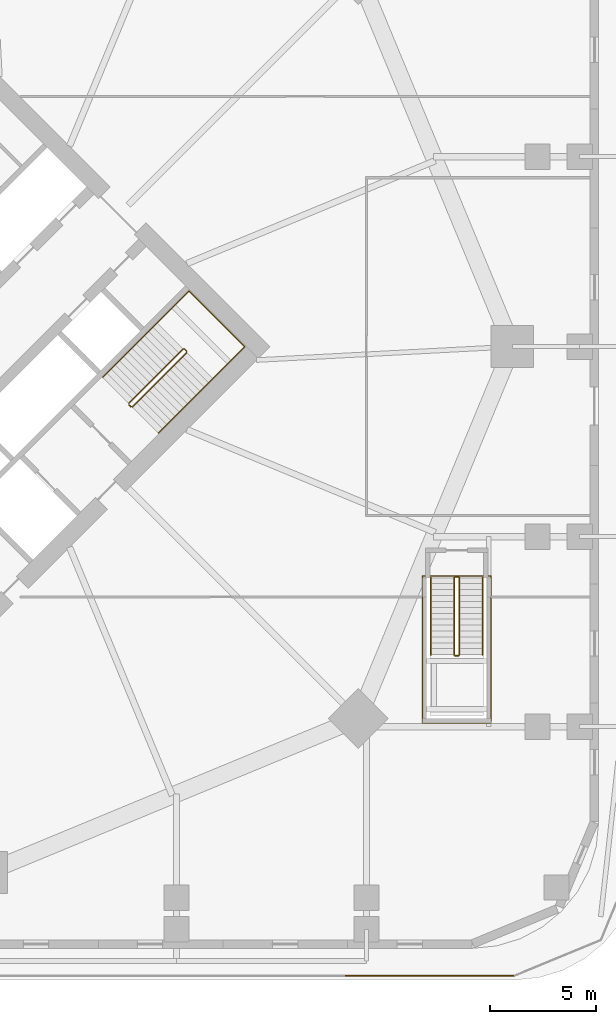
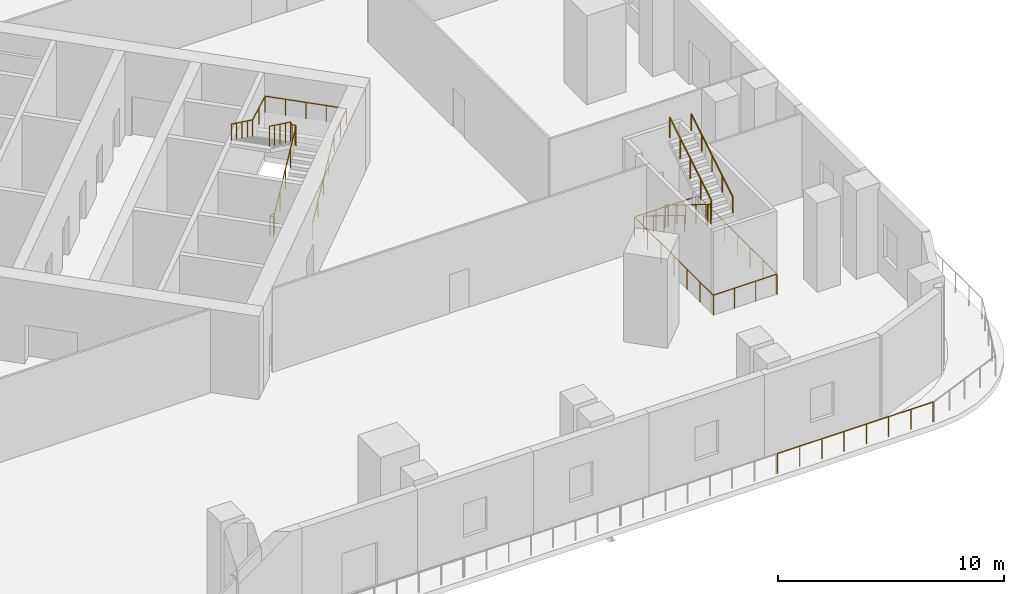
# One storey, part 16 of 17: 10 railings.
"""IFC4 building model written with IfcOpenShell, lengths in metres."""

import ifcopenshell
import ifcopenshell.guid

model = None  # the IFC model being written
_history = None  # IfcOwnerHistory: only IFC2X3 demands one
_inside = {}  # id of a spatial element -> (the spatial element, [elements in it])
_under = {}  # id of a project, library or spatial element -> (it, [spatial elements below it])
_declared = {}  # id of a project -> (the project, [libraries it declares])
_typed = {}  # id of a type object -> (the type object, [elements of that type])
_made_of = {}  # id of a material, layer set ... -> (it, [elements and type objects made of it])


def new_model(schema):
    """Start an empty IFC model of exactly this schema.

    Asked for "IFC4X3", IfcOpenShell would pick the latest addendum, in which some entities
    have other attributes; the version numbers below select the first issue.
    IFC2X3 requires an IfcOwnerHistory on every rooted entity: one is made here for all.
    """
    global model, _history
    if schema == "IFC4X3":
        model = ifcopenshell.file(schema_version=(4, 3, 0, 0))
    else:
        model = ifcopenshell.file(schema=schema)
    _inside.clear()
    _under.clear()
    _declared.clear()
    _typed.clear()
    _made_of.clear()
    _history = None
    if model.schema == "IFC2X3":
        org = make("IfcOrganization", Name="unknown")
        user = make(
            "IfcPersonAndOrganization",
            ThePerson=make("IfcPerson", FamilyName="unknown"),
            TheOrganization=org,
        )
        app = make(
            "IfcApplication",
            ApplicationDeveloper=org,
            Version="unknown",
            ApplicationFullName="unknown",
            ApplicationIdentifier="unknown",
        )
        _history = make(
            "IfcOwnerHistory",
            OwningUser=user,
            OwningApplication=app,
            ChangeAction="ADDED",
            CreationDate=0,
        )
    return model


def make(cls, **values):
    """One entity of the class cls with the attributes given. An attribute that is None is left unset."""
    return model.create_entity(
        cls, **{name: value for name, value in values.items() if value is not None}
    )


def rooted(cls, **values):
    """An entity with a GlobalId (a new one), such as an element, a storey or a relation."""
    return make(cls, GlobalId=ifcopenshell.guid.new(), OwnerHistory=_history, **values)


def si_unit(unit_type, name, prefix=None):
    """IfcSIUnit, for example si_unit("LENGTHUNIT", "METRE", prefix="MILLI")."""
    return make("IfcSIUnit", UnitType=unit_type, Prefix=prefix, Name=name)


def assignment(units):
    """IfcUnitAssignment: the units of a project."""
    return None if units is None else make("IfcUnitAssignment", Units=units)


def point(xyz):
    """IfcCartesianPoint."""
    return None if xyz is None else make("IfcCartesianPoint", Coordinates=xyz)


def direction(xyz):
    """IfcDirection."""
    return None if xyz is None else make("IfcDirection", DirectionRatios=xyz)


def frame(location, z_axis=None, x_axis=None):
    """IfcAxis2Placement3D, a coordinate frame: its origin and axes. An axis left out is left unset."""
    return make(
        "IfcAxis2Placement3D",
        Location=point(location),
        Axis=direction(z_axis),
        RefDirection=direction(x_axis),
    )


def frame_2d(location, x_axis=None):
    """IfcAxis2Placement2D, a coordinate frame in the plane: its origin and x axis."""
    return make(
        "IfcAxis2Placement2D", Location=point(location), RefDirection=direction(x_axis)
    )


def origin():
    """The frame at (0, 0, 0) with its axes left unset."""
    return frame((0.0, 0.0, 0.0))


def origin_2d():
    """The frame at (0, 0) in the plane with its x axis left unset."""
    return frame_2d((0.0, 0.0))


def place(relative_to, where):
    """IfcLocalPlacement: puts the frame where relative to a parent placement (None: the world)."""
    return make(
        "IfcLocalPlacement", PlacementRelTo=relative_to, RelativePlacement=where
    )


def context(
    kind, dimensions, precision=None, world=None, true_north=None, identifier=None
):
    """IfcGeometricRepresentationContext, for example the 3D "Model" context."""
    return make(
        "IfcGeometricRepresentationContext",
        ContextIdentifier=identifier,
        ContextType=kind,
        CoordinateSpaceDimension=dimensions,
        Precision=precision,
        WorldCoordinateSystem=world,
        TrueNorth=true_north,
    )


def subcontext(parent, identifier, kind, view, scale=None):
    """IfcGeometricRepresentationSubContext, for example "Body" below "Model"."""
    return make(
        "IfcGeometricRepresentationSubContext",
        ContextIdentifier=identifier,
        ContextType=kind,
        ParentContext=parent,
        TargetScale=scale,
        TargetView=view,
    )


def project(units=None, contexts=None):
    """IfcProject with its units and contexts."""
    return rooted(
        "IfcProject",
        Name="project",
        RepresentationContexts=contexts,
        UnitsInContext=assignment(units),
    )


def spatial(cls, under=None, at=None, **own):
    """A site, building, storey or space (cls), placed at a placement, below another one or the project."""
    s = rooted(cls, ObjectPlacement=at, **own)
    if under is not None:
        _under.setdefault(under.id(), (under, []))[1].append(s)
    return s


def profile(cls, at=None, kind="AREA", **sizes):
    """A parametric profile (cls). Its sizes go by their IFC names, for example OverallWidth=200.0."""
    return make(cls, ProfileType=kind, Position=at, **sizes)


def circle(**sizes):
    """IfcCircleProfileDef."""
    return profile("IfcCircleProfileDef", **sizes)


def extrude(swept, where, along, depth):
    """IfcExtrudedAreaSolid: the profile swept, set in the frame where, extruded along a direction by depth."""
    return make(
        "IfcExtrudedAreaSolid",
        SweptArea=swept,
        Position=where,
        ExtrudedDirection=direction(along),
        Depth=depth,
    )


def shape(context_of_items, identifier, shape_type, items):
    """IfcShapeRepresentation: the items that make up one representation, for example the "Body"."""
    return make(
        "IfcShapeRepresentation",
        ContextOfItems=context_of_items,
        RepresentationIdentifier=identifier,
        RepresentationType=shape_type,
        Items=items,
    )


def material(Name=None, Category=None):
    """IfcMaterial."""
    return make("IfcMaterial", Name=Name, Category=Category)


def made_of(thing, what):
    """Note that an element or type object is made of a material, layer set ...; save() writes the relation."""
    if what is not None:
        _made_of.setdefault(what.id(), (what, []))[1].append(thing)
    return thing


def type_object(cls, material=None, **own):
    """A type object (cls), such as IfcWallType, which elements share."""
    return made_of(rooted(cls, **own), material)


def element(
    cls,
    number,
    at=None,
    inside=None,
    cuts=None,
    type_object=None,
    material=None,
    context=None,
    identifier="Body",
    shape_type=None,
    held_by="IfcProductDefinitionShape",
    body=None,
    shapes=None,
    **own,
):
    """One element of the class cls, such as IfcWall. Its Tag is "e" and its number.

    at: its placement. inside: the storey or other place that contains it. cuts: it is an
    opening in that element (IfcRelVoidsElement). A single representation is given by context,
    identifier, shape_type and body (its items); several are given by shapes. held_by: the class
    of the entity that holds the representations. save() writes the other relations.
    """
    e = rooted(cls, Tag="e%d" % number, ObjectPlacement=at, **own)
    if body is not None:
        shapes = [shape(context, identifier, shape_type, body)]
    if shapes is not None:
        e.Representation = make(held_by, Representations=shapes)
    if inside is not None:
        _inside.setdefault(inside.id(), (inside, []))[1].append(e)
    if cuts is not None:
        rooted(
            "IfcRelVoidsElement", RelatingBuildingElement=cuts, RelatedOpeningElement=e
        )
    if type_object is not None:
        _typed.setdefault(type_object.id(), (type_object, []))[1].append(e)
    return made_of(e, material)


def aggregate(whole, parts):
    """IfcRelAggregates: a whole, such as a stair, and the parts it consists of."""
    return rooted("IfcRelAggregates", RelatingObject=whole, RelatedObjects=parts)


def save(model, path):
    """Write the relations noted so far, then the file.

    IfcRelAggregates (storeys below a building ...), IfcRelContainedInSpatialStructure (elements
    in a storey), IfcRelDefinesByType, IfcRelAssociatesMaterial and IfcRelDeclares: one each for
    every whole, place, type object, material and project.
    """
    for whole, parts in _under.values():
        aggregate(whole, parts)
    for where, things in _inside.values():
        rooted(
            "IfcRelContainedInSpatialStructure",
            RelatedElements=things,
            RelatingStructure=where,
        )
    for kind, things in _typed.values():
        rooted("IfcRelDefinesByType", RelatedObjects=things, RelatingType=kind)
    for what, things in _made_of.values():
        rooted("IfcRelAssociatesMaterial", RelatedObjects=things, RelatingMaterial=what)
    for by, libraries in _declared.values():
        rooted("IfcRelDeclares", RelatingContext=by, RelatedDefinitions=libraries)
    model.write(path)


model = new_model("IFC4")

# Units and contexts
model_context = context("Model", 3, precision=1e-05, world=origin(), true_north=direction((0.0, 1.0)))
body_context = subcontext(model_context, "Body", "Model", "MODEL_VIEW")
ifc_project = project(units=[si_unit("LENGTHUNIT", "METRE"), si_unit("AREAUNIT", "SQUARE_METRE"), si_unit("VOLUMEUNIT", "CUBIC_METRE"), si_unit("PLANEANGLEUNIT", "RADIAN"), si_unit("MASSUNIT", "GRAM", prefix="KILO")], contexts=[model_context])

# Site, building, storey
site_placement = place(None, origin())
site = spatial("IfcSite", under=ifc_project, at=site_placement, CompositionType="ELEMENT")
building_placement = place(site_placement, origin())
building = spatial("IfcBuilding", under=site, at=building_placement, Name="Ogive Gate Towers", CompositionType="ELEMENT")
storey_placement = place(building_placement, frame((0.0, 0.0, 18.0)))
storey = spatial("IfcBuildingStorey", under=building, at=storey_placement, Name="L03", CompositionType="ELEMENT", Elevation=18.0)

# Railings
ifc_material_1 = material(Name="Stainless steel", Category="steel")
railing_type_1 = type_object("IfcRailingType", Name="Guard 1100", PredefinedType="GUARDRAIL", material=ifc_material_1)
railing_1_placement = place(storey_placement, frame((53.010498046875, -29.800048828125, 0.0)))
element("IfcRailing", 1, at=railing_1_placement, inside=storey, type_object=railing_type_1, Name="Terrace guard", PredefinedType="GUARDRAIL", context=body_context, shape_type="SweptSolid", body=[
    extrude(circle(Radius=0.02392578125, at=origin_2d()), frame((0.0, 0.0, 1.076171875), z_axis=(1.0, 0.0, 0.0), x_axis=(0.0, 1.0, 0.0)), (0.0, 0.0, 1.0), 7.939453125),
    extrude(circle(Radius=0.02099609375, at=origin_2d()), origin(), (0.0, 0.0, 1.0), 1.052001953125),
    extrude(circle(Radius=0.02099609375, at=origin_2d()), frame((1.13427734375, 0.0, 0.0)), (0.0, 0.0, 1.0), 1.052001953125),
    extrude(circle(Radius=0.02099609375, at=origin_2d()), frame((2.268310546875, 0.0, 0.0)), (0.0, 0.0, 1.0), 1.052001953125),
    extrude(circle(Radius=0.02099609375, at=origin_2d()), frame((3.402587890625, 0.0, 0.0)), (0.0, 0.0, 1.0), 1.052001953125),
    extrude(circle(Radius=0.02099609375, at=origin_2d()), frame((4.536865234375, 0.0, 0.0)), (0.0, 0.0, 1.0), 1.052001953125),
    extrude(circle(Radius=0.02099609375, at=origin_2d()), frame((5.671142578125, 0.0, 0.0)), (0.0, 0.0, 1.0), 1.052001953125),
    extrude(circle(Radius=0.02099609375, at=origin_2d()), frame((6.80517578125, 0.0, 0.0)), (0.0, 0.0, 1.0), 1.052001953125),
    extrude(circle(Radius=0.02099609375, at=origin_2d()), frame((7.939453125, 0.0, 0.0)), (0.0, 0.0, 1.0), 1.052001953125),
])
ifc_material_2 = material(Name="Steel and glass guard", Category="steel")
railing_type_2 = type_object("IfcRailingType", Name="Podium stair guard 1100", PredefinedType="GUARDRAIL", material=ifc_material_2)
railing_2_placement = place(storey_placement, frame((58.14990234375, -10.949951171875, 0.17138671875)))
element("IfcRailing", 2, at=railing_2_placement, inside=storey, type_object=railing_type_2, Name="L03 PS2 stair guard 1", PredefinedType="GUARDRAIL", context=body_context, shape_type="SweptSolid", body=[
    extrude(circle(Radius=0.02392578125, at=origin_2d()), frame((0.0, 0.0, 1.076171875), z_axis=(0.0, -0.852865859571, 0.52213008492), x_axis=(1.0, 0.0, 0.0)), (0.0, 0.0, 1.0), 4.26806640625),
    extrude(circle(Radius=0.02099609375, at=origin_2d()), origin(), (0.0, 0.0, 1.0), 1.052001953125),
    extrude(circle(Radius=0.02099609375, at=origin_2d()), frame((0.0, -0.91015625, 0.55712890625)), (0.0, 0.0, 1.0), 1.052001953125),
    extrude(circle(Radius=0.02099609375, at=origin_2d()), frame((0.0, -1.820068359375, 1.1142578125)), (0.0, 0.0, 1.0), 1.052001953125),
    extrude(circle(Radius=0.02099609375, at=origin_2d()), frame((0.0, -2.72998046875, 1.67138671875)), (0.0, 0.0, 1.0), 1.052001953125),
    extrude(circle(Radius=0.02099609375, at=origin_2d()), frame((0.0, -3.64013671875, 2.228515625)), (0.0, 0.0, 1.0), 1.052001953125),
])
railing_3_placement = place(storey_placement, frame((58.199951171875, -14.639892578125, 2.39990234375)))
element("IfcRailing", 3, at=railing_3_placement, inside=storey, type_object=railing_type_2, Name="L03 PS2 stair guard 2", PredefinedType="GUARDRAIL", context=body_context, shape_type="SweptSolid", body=[
    extrude(circle(Radius=0.02392578125, at=origin_2d()), frame((0.0, 0.0, 1.076171875), z_axis=(1.0, 0.0, 0.0), x_axis=(0.0, 1.0, 0.0)), (0.0, 0.0, 1.0), 0.150146484375),
    extrude(circle(Radius=0.02099609375, at=origin_2d()), origin(), (0.0, 0.0, 1.0), 1.052001953125),
    extrude(circle(Radius=0.02099609375, at=origin_2d()), frame((0.150146484375, 0.0, 0.0)), (0.0, 0.0, 1.0), 1.052001953125),
])
railing_4_placement = place(storey_placement, frame((58.39990234375, -14.590087890625, 2.571533203125)))
element("IfcRailing", 4, at=railing_4_placement, inside=storey, type_object=railing_type_2, Name="L03 PS2 stair guard 3", PredefinedType="GUARDRAIL", context=body_context, shape_type="SweptSolid", body=[
    extrude(circle(Radius=0.02392578125, at=origin_2d()), frame((0.0, 0.0, 1.076171875), z_axis=(0.0, 0.852865859571, 0.52213008492), x_axis=(-1.0, 0.0, 0.0)), (0.0, 0.0, 1.0), 4.26806640625),
    extrude(circle(Radius=0.02099609375, at=origin_2d()), origin(), (0.0, 0.0, 1.0), 1.052001953125),
    extrude(circle(Radius=0.02099609375, at=origin_2d()), frame((0.0, 0.91015625, 0.55712890625)), (0.0, 0.0, 1.0), 1.052001953125),
    extrude(circle(Radius=0.02099609375, at=origin_2d()), frame((0.0, 1.820068359375, 1.1142578125)), (0.0, 0.0, 1.0), 1.052001953125),
    extrude(circle(Radius=0.02099609375, at=origin_2d()), frame((0.0, 2.72998046875, 1.67138671875)), (0.0, 0.0, 1.0), 1.052001953125),
    extrude(circle(Radius=0.02099609375, at=origin_2d()), frame((0.0, 3.64013671875, 2.228515625)), (0.0, 0.0, 1.0), 1.052001953125),
])
railing_5_placement = place(storey_placement, frame((58.199951171875, -10.89990234375, 0.0)))
element("IfcRailing", 5, at=railing_5_placement, inside=storey, type_object=railing_type_2, Name="L03 PS2 stair guard 4", PredefinedType="GUARDRAIL", context=body_context, shape_type="SweptSolid", body=[
    extrude(circle(Radius=0.02392578125, at=origin_2d()), frame((0.0, 0.0, 1.076171875), z_axis=(1.0, 0.0, 0.0), x_axis=(0.0, 1.0, 0.0)), (0.0, 0.0, 1.0), 0.150146484375),
    extrude(circle(Radius=0.02099609375, at=origin_2d()), origin(), (0.0, 0.0, 1.0), 1.052001953125),
    extrude(circle(Radius=0.02099609375, at=origin_2d()), frame((0.150146484375, 0.0, 0.0)), (0.0, 0.0, 1.0), 1.052001953125),
])
ifc_material_3 = material(Name="Stainless steel handrail", Category="steel")
railing_type_3 = type_object("IfcRailingType", Name="Podium stair handrail 900", PredefinedType="HANDRAIL", material=ifc_material_3)
railing_6_placement = place(storey_placement, frame((57.050048828125, -10.949951171875, 0.17138671875)))
element("IfcRailing", 6, at=railing_6_placement, inside=storey, type_object=railing_type_3, Name="L03 PS2 stair handrail 1", PredefinedType="HANDRAIL", context=body_context, shape_type="SweptSolid", body=[
    extrude(circle(Radius=0.02392578125, at=origin_2d()), frame((0.0, 0.0, 0.8759765625), z_axis=(0.0, -0.852865859571, 0.52213008492), x_axis=(1.0, 0.0, 0.0)), (0.0, 0.0, 1.0), 4.26806640625),
    extrude(circle(Radius=0.02099609375, at=origin_2d()), origin(), (0.0, 0.0, 1.0), 0.851806640625),
    extrude(circle(Radius=0.02099609375, at=origin_2d()), frame((0.0, -0.91015625, 0.55712890625)), (0.0, 0.0, 1.0), 0.851806640625),
    extrude(circle(Radius=0.02099609375, at=origin_2d()), frame((0.0, -1.820068359375, 1.1142578125)), (0.0, 0.0, 1.0), 0.851806640625),
    extrude(circle(Radius=0.02099609375, at=origin_2d()), frame((0.0, -2.72998046875, 1.67138671875)), (0.0, 0.0, 1.0), 0.851806640625),
    extrude(circle(Radius=0.02099609375, at=origin_2d()), frame((0.0, -3.64013671875, 2.228515625)), (0.0, 0.0, 1.0), 0.851806640625),
])
railing_7_placement = place(storey_placement, frame((59.5, -14.590087890625, 2.571533203125)))
element("IfcRailing", 7, at=railing_7_placement, inside=storey, type_object=railing_type_3, Name="L03 PS2 stair handrail 2", PredefinedType="HANDRAIL", context=body_context, shape_type="SweptSolid", body=[
    extrude(circle(Radius=0.02392578125, at=origin_2d()), frame((0.0, 0.0, 0.8759765625), z_axis=(0.0, 0.852865859571, 0.52213008492), x_axis=(-1.0, 0.0, 0.0)), (0.0, 0.0, 1.0), 4.26806640625),
    extrude(circle(Radius=0.02099609375, at=origin_2d()), origin(), (0.0, 0.0, 1.0), 0.851806640625),
    extrude(circle(Radius=0.02099609375, at=origin_2d()), frame((0.0, 0.91015625, 0.55712890625)), (0.0, 0.0, 1.0), 0.851806640625),
    extrude(circle(Radius=0.02099609375, at=origin_2d()), frame((0.0, 1.820068359375, 1.1142578125)), (0.0, 0.0, 1.0), 0.851806640625),
    extrude(circle(Radius=0.02099609375, at=origin_2d()), frame((0.0, 2.72998046875, 1.67138671875)), (0.0, 0.0, 1.0), 0.851806640625),
    extrude(circle(Radius=0.02099609375, at=origin_2d()), frame((0.0, 3.64013671875, 2.228515625)), (0.0, 0.0, 1.0), 0.851806640625),
])
railing_type_4 = type_object("IfcRailingType", Name="Stair guard 1100", PredefinedType="GUARDRAIL", material=ifc_material_1)
railing_8_placement = place(storey_placement, frame((42.84130859375, -2.8603515625, 0.0)))
element("IfcRailing", 8, at=railing_8_placement, inside=storey, type_object=railing_type_4, Name="L03 ST2 stair guard 1", PredefinedType="GUARDRAIL", context=body_context, shape_type="SweptSolid", body=[
    extrude(circle(Radius=0.02392578125, at=origin_2d()), frame((0.0, 0.0, 1.076171875), z_axis=(-0.707106781187, 0.707106781187, 0.0), x_axis=(-0.707106781187, -0.707106781187, 0.0)), (0.0, 0.0, 1.0), 0.14501953125),
    extrude(circle(Radius=0.02392578125, at=origin_2d()), frame((-0.1025390625, 0.1025390625, 1.076171875), z_axis=(0.65494335095, -0.387977725527, 0.648477055524), x_axis=(0.509669330572, 0.860370369942, 0.0)), (0.0, 0.0, 1.0), 0.264404296875),
    extrude(circle(Radius=0.02392578125, at=origin_2d()), frame((0.070556640625, 0.0, 1.24755859375), z_axis=(0.603067823642, 0.603067823642, 0.522128719929), x_axis=(-0.707106781187, 0.707106781187, 0.0)), (0.0, 0.0, 1.0), 4.26806640625),
    extrude(circle(Radius=0.02392578125, at=origin_2d()), frame((2.64453125, 2.573974609375, 3.47607421875), z_axis=(0.0, 1.0, 0.0), x_axis=(-1.0, 0.0, 0.0)), (0.0, 0.0, 1.0), 0.07080078125),
    extrude(circle(Radius=0.02392578125, at=origin_2d()), frame((2.64453125, 2.644775390625, 3.47607421875), z_axis=(-0.707106781187, 0.707106781187, 0.0), x_axis=(-0.707106781187, -0.707106781187, 0.0)), (0.0, 0.0, 1.0), 0.14501953125),
    extrude(circle(Radius=0.02392578125, at=origin_2d()), frame((2.5419921875, 2.747314453125, 3.47607421875), z_axis=(-0.381344969993, 0.0, 0.924432806569), x_axis=(0.0, -1.0, 0.0)), (0.0, 0.0, 1.0), 0.185546875),
    extrude(circle(Radius=0.02392578125, at=origin_2d()), frame((2.47119140625, 2.747314453125, 3.6474609375), z_axis=(-0.603031424376, -0.60308862713, 0.522146731333), x_axis=(0.707140316402, -0.707073244381, 0.0)), (0.0, 0.0, 1.0), 4.26806640625),
    extrude(circle(Radius=0.02099609375, at=origin_2d()), origin(), (0.0, 0.0, 1.0), 1.052001953125),
    extrude(circle(Radius=0.02099609375, at=origin_2d()), frame((-0.1025390625, 0.1025390625, 0.0)), (0.0, 0.0, 1.0), 1.052001953125),
    extrude(circle(Radius=0.02099609375, at=origin_2d()), frame((0.070556640625, 0.0, 0.17138671875)), (0.0, 0.0, 1.0), 1.052001953125),
    extrude(circle(Radius=0.02099609375, at=origin_2d()), frame((0.714111328125, 0.6435546875, 0.728515625)), (0.0, 0.0, 1.0), 1.052001953125),
    extrude(circle(Radius=0.02099609375, at=origin_2d()), frame((1.357421875, 1.287109375, 1.28564453125)), (0.0, 0.0, 1.0), 1.052001953125),
    extrude(circle(Radius=0.02099609375, at=origin_2d()), frame((2.0009765625, 1.930419921875, 1.8427734375)), (0.0, 0.0, 1.0), 1.052001953125),
    extrude(circle(Radius=0.02099609375, at=origin_2d()), frame((2.64453125, 2.573974609375, 2.39990234375)), (0.0, 0.0, 1.0), 1.052001953125),
    extrude(circle(Radius=0.02099609375, at=origin_2d()), frame((2.64453125, 2.644775390625, 2.39990234375)), (0.0, 0.0, 1.0), 1.052001953125),
    extrude(circle(Radius=0.02099609375, at=origin_2d()), frame((2.5419921875, 2.747314453125, 2.39990234375)), (0.0, 0.0, 1.0), 1.052001953125),
    extrude(circle(Radius=0.02099609375, at=origin_2d()), frame((2.47119140625, 2.747314453125, 2.571533203125)), (0.0, 0.0, 1.0), 1.052001953125),
    extrude(circle(Radius=0.02099609375, at=origin_2d()), frame((1.82763671875, 2.103759765625, 3.128662109375)), (0.0, 0.0, 1.0), 1.052001953125),
    extrude(circle(Radius=0.02099609375, at=origin_2d()), frame((1.184326171875, 1.46044921875, 3.685791015625)), (0.0, 0.0, 1.0), 1.052001953125),
    extrude(circle(Radius=0.02099609375, at=origin_2d()), frame((0.541015625, 0.81689453125, 4.242919921875)), (0.0, 0.0, 1.0), 1.052001953125),
    extrude(circle(Radius=0.02099609375, at=origin_2d()), frame((-0.1025390625, 0.17333984375, 4.800048828125)), (0.0, 0.0, 1.0), 1.052001953125),
])
railing_type_5 = type_object("IfcRailingType", Name="Stair handrail 900", PredefinedType="HANDRAIL", material=ifc_material_1)
railing_9_placement = place(storey_placement, frame((44.142333984375, -4.090576171875, 0.17138671875)))
element("IfcRailing", 9, at=railing_9_placement, inside=storey, type_object=railing_type_5, Name="L03 ST2 stair handrail 1", PredefinedType="HANDRAIL", context=body_context, shape_type="SweptSolid", body=[
    extrude(circle(Radius=0.02392578125, at=origin_2d()), frame((0.0, 0.0, 0.8759765625), z_axis=(0.60308862713, 0.603031424376, 0.522146731333), x_axis=(-0.707073244381, 0.707140316402, 0.0)), (0.0, 0.0, 1.0), 4.26806640625),
    extrude(circle(Radius=0.02392578125, at=origin_2d()), frame((2.573974609375, 2.57373046875, 3.1044921875), z_axis=(0.707049868894, 0.707163688899, 0.0), x_axis=(-0.707163688899, 0.707049868894, 0.0)), (0.0, 0.0, 1.0), 2.14501953125),
    extrude(circle(Radius=0.02392578125, at=origin_2d()), frame((4.090576171875, 4.090576171875, 3.1044921875), z_axis=(-0.707106781187, 0.707106781187, 0.0), x_axis=(-0.707106781187, -0.707106781187, 0.0)), (0.0, 0.0, 1.0), 3.72509765625),
    extrude(circle(Radius=0.02392578125, at=origin_2d()), frame((1.45654296875, 6.724609375, 3.1044921875), z_axis=(-0.704797245584, -0.704910702964, 0.079760538256), x_axis=(0.707163688899, -0.707049868894, 0.0)), (0.0, 0.0, 1.0), 2.15185546875),
    extrude(circle(Radius=0.02392578125, at=origin_2d()), frame((-0.06005859375, 5.207763671875, 3.27587890625), z_axis=(-0.60308862713, -0.603031424376, 0.522146731333), x_axis=(0.707073244381, -0.707140316402, 0.0)), (0.0, 0.0, 1.0), 4.26806640625),
    extrude(circle(Radius=0.02099609375, at=origin_2d()), origin(), (0.0, 0.0, 1.0), 0.851806640625),
    extrude(circle(Radius=0.02099609375, at=origin_2d()), frame((0.6435546875, 0.6435546875, 0.55712890625)), (0.0, 0.0, 1.0), 0.851806640625),
    extrude(circle(Radius=0.02099609375, at=origin_2d()), frame((1.287109375, 1.286865234375, 1.1142578125)), (0.0, 0.0, 1.0), 0.851806640625),
    extrude(circle(Radius=0.02099609375, at=origin_2d()), frame((1.930419921875, 1.93017578125, 1.67138671875)), (0.0, 0.0, 1.0), 0.851806640625),
    extrude(circle(Radius=0.02099609375, at=origin_2d()), frame((2.573974609375, 2.57373046875, 2.228515625)), (0.0, 0.0, 1.0), 0.851806640625),
    extrude(circle(Radius=0.02099609375, at=origin_2d()), frame((3.332275390625, 3.33203125, 2.228515625)), (0.0, 0.0, 1.0), 0.851806640625),
    extrude(circle(Radius=0.02099609375, at=origin_2d()), frame((4.090576171875, 4.090576171875, 2.228515625)), (0.0, 0.0, 1.0), 0.851806640625),
    extrude(circle(Radius=0.02099609375, at=origin_2d()), frame((3.43212890625, 4.7490234375, 2.228515625)), (0.0, 0.0, 1.0), 0.851806640625),
    extrude(circle(Radius=0.02099609375, at=origin_2d()), frame((2.7734375, 5.40771484375, 2.228515625)), (0.0, 0.0, 1.0), 0.851806640625),
    extrude(circle(Radius=0.02099609375, at=origin_2d()), frame((2.114990234375, 6.066162109375, 2.228515625)), (0.0, 0.0, 1.0), 0.851806640625),
    extrude(circle(Radius=0.02099609375, at=origin_2d()), frame((1.45654296875, 6.724609375, 2.228515625)), (0.0, 0.0, 1.0), 0.851806640625),
    extrude(circle(Radius=0.02099609375, at=origin_2d()), frame((0.6982421875, 5.96630859375, 2.314453125)), (0.0, 0.0, 1.0), 0.851806640625),
    extrude(circle(Radius=0.02099609375, at=origin_2d()), frame((-0.06005859375, 5.207763671875, 2.400146484375)), (0.0, 0.0, 1.0), 0.851806640625),
    extrude(circle(Radius=0.02099609375, at=origin_2d()), frame((-0.70361328125, 4.564453125, 2.957275390625)), (0.0, 0.0, 1.0), 0.851806640625),
    extrude(circle(Radius=0.02099609375, at=origin_2d()), frame((-1.34716796875, 3.9208984375, 3.514404296875)), (0.0, 0.0, 1.0), 0.851806640625),
    extrude(circle(Radius=0.02099609375, at=origin_2d()), frame((-1.990478515625, 3.27734375, 4.071533203125)), (0.0, 0.0, 1.0), 0.851806640625),
    extrude(circle(Radius=0.02099609375, at=origin_2d()), frame((-2.634033203125, 2.634033203125, 4.628662109375)), (0.0, 0.0, 1.0), 0.851806640625),
])
railing_type_6 = type_object("IfcRailingType", Name="Void guard 1100", PredefinedType="GUARDRAIL", material=ifc_material_2)
railing_10_placement = place(storey_placement, frame((59.89990234375, -17.820068359375, 0.0)))
element("IfcRailing", 10, at=railing_10_placement, inside=storey, type_object=railing_type_6, Name="L03 nave guard", PredefinedType="GUARDRAIL", context=body_context, shape_type="SweptSolid", body=[
    extrude(circle(Radius=0.02392578125, at=origin_2d()), frame((0.0, 0.0, 1.076171875), z_axis=(-1.0, 0.0, 0.0), x_axis=(0.0, -1.0, 0.0)), (0.0, 0.0, 1.0), 3.25),
    extrude(circle(Radius=0.02392578125, at=origin_2d()), frame((-3.25, 0.0, 1.076171875), z_axis=(0.0, 1.0, 0.0), x_axis=(-1.0, 0.0, 0.0)), (0.0, 0.0, 1.0), 6.955078125),
    extrude(circle(Radius=0.02392578125, at=origin_2d()), frame((-3.25, 6.955078125, 1.076171875), z_axis=(1.0, 0.0, 0.0), x_axis=(0.0, 1.0, 0.0)), (0.0, 0.0, 1.0), 3.25),
    extrude(circle(Radius=0.02392578125, at=origin_2d()), frame((0.0, 6.955078125, 1.076171875), z_axis=(0.0, -1.0, 0.0), x_axis=(1.0, 0.0, 0.0)), (0.0, 0.0, 1.0), 6.885009765625),
    extrude(circle(Radius=0.02099609375, at=origin_2d()), origin(), (0.0, 0.0, 1.0), 1.052001953125),
    extrude(circle(Radius=0.02099609375, at=origin_2d()), frame((-1.083251953125, 0.0, 0.0)), (0.0, 0.0, 1.0), 1.052001953125),
    extrude(circle(Radius=0.02099609375, at=origin_2d()), frame((-2.166748046875, 0.0, 0.0)), (0.0, 0.0, 1.0), 1.052001953125),
    extrude(circle(Radius=0.02099609375, at=origin_2d()), frame((-3.25, 0.0, 0.0)), (0.0, 0.0, 1.0), 1.052001953125),
    extrude(circle(Radius=0.02099609375, at=origin_2d()), frame((-3.25, 1.1591796875, 0.0)), (0.0, 0.0, 1.0), 1.052001953125),
    extrude(circle(Radius=0.02099609375, at=origin_2d()), frame((-3.25, 2.318359375, 0.0)), (0.0, 0.0, 1.0), 1.052001953125),
    extrude(circle(Radius=0.02099609375, at=origin_2d()), frame((-3.25, 3.4775390625, 0.0)), (0.0, 0.0, 1.0), 1.052001953125),
    extrude(circle(Radius=0.02099609375, at=origin_2d()), frame((-3.25, 4.63671875, 0.0)), (0.0, 0.0, 1.0), 1.052001953125),
    extrude(circle(Radius=0.02099609375, at=origin_2d()), frame((-3.25, 5.7958984375, 0.0)), (0.0, 0.0, 1.0), 1.052001953125),
    extrude(circle(Radius=0.02099609375, at=origin_2d()), frame((-3.25, 6.955078125, 0.0)), (0.0, 0.0, 1.0), 1.052001953125),
    extrude(circle(Radius=0.02099609375, at=origin_2d()), frame((-2.166748046875, 6.955078125, 0.0)), (0.0, 0.0, 1.0), 1.052001953125),
    extrude(circle(Radius=0.02099609375, at=origin_2d()), frame((-1.083251953125, 6.955078125, 0.0)), (0.0, 0.0, 1.0), 1.052001953125),
    extrude(circle(Radius=0.02099609375, at=origin_2d()), frame((0.0, 6.955078125, 0.0)), (0.0, 0.0, 1.0), 1.052001953125),
    extrude(circle(Radius=0.02099609375, at=origin_2d()), frame((0.0, 5.8076171875, 0.0)), (0.0, 0.0, 1.0), 1.052001953125),
    extrude(circle(Radius=0.02099609375, at=origin_2d()), frame((0.0, 4.66015625, 0.0)), (0.0, 0.0, 1.0), 1.052001953125),
    extrude(circle(Radius=0.02099609375, at=origin_2d()), frame((0.0, 3.5126953125, 0.0)), (0.0, 0.0, 1.0), 1.052001953125),
    extrude(circle(Radius=0.02099609375, at=origin_2d()), frame((0.0, 2.364990234375, 0.0)), (0.0, 0.0, 1.0), 1.052001953125),
    extrude(circle(Radius=0.02099609375, at=origin_2d()), frame((0.0, 1.217529296875, 0.0)), (0.0, 0.0, 1.0), 1.052001953125),
    extrude(circle(Radius=0.02099609375, at=origin_2d()), frame((0.0, 0.070068359375, 0.0)), (0.0, 0.0, 1.0), 1.052001953125),
])

save(model, "model.ifc")
